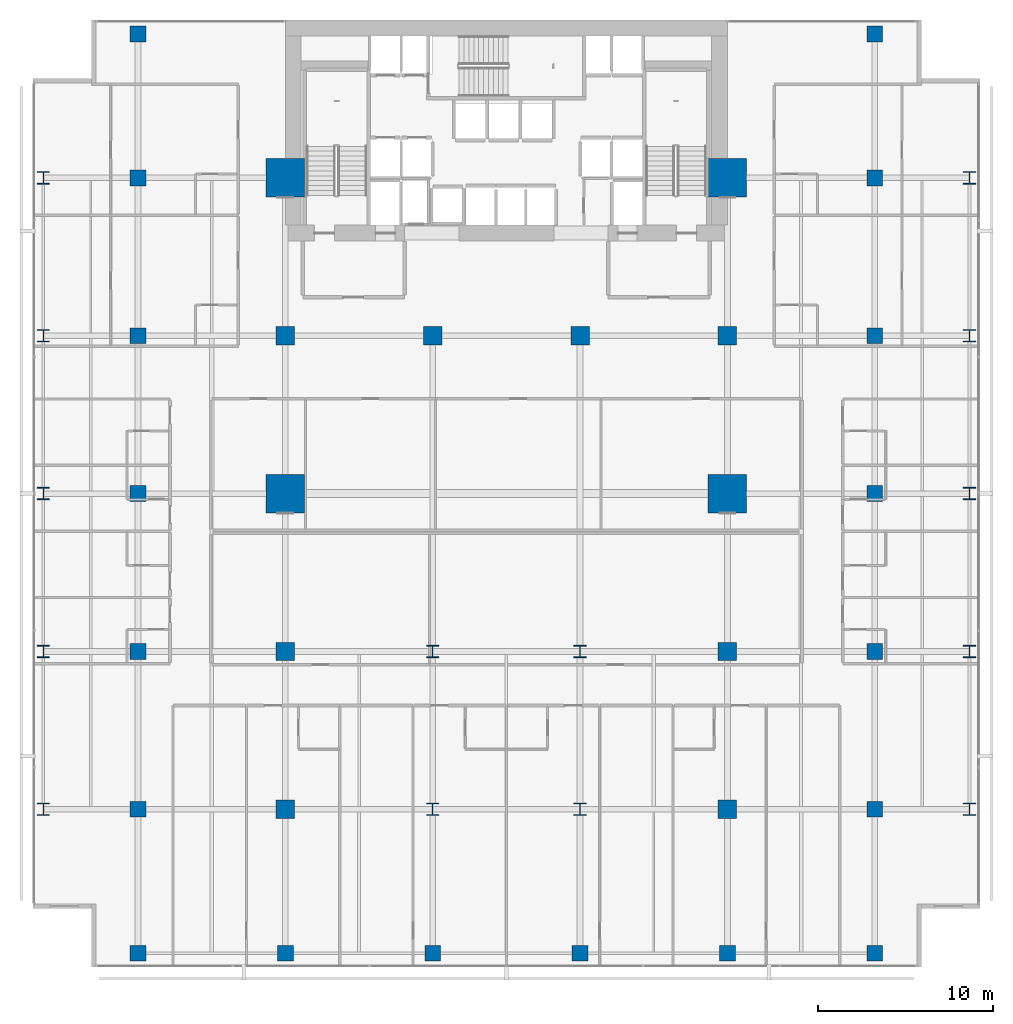
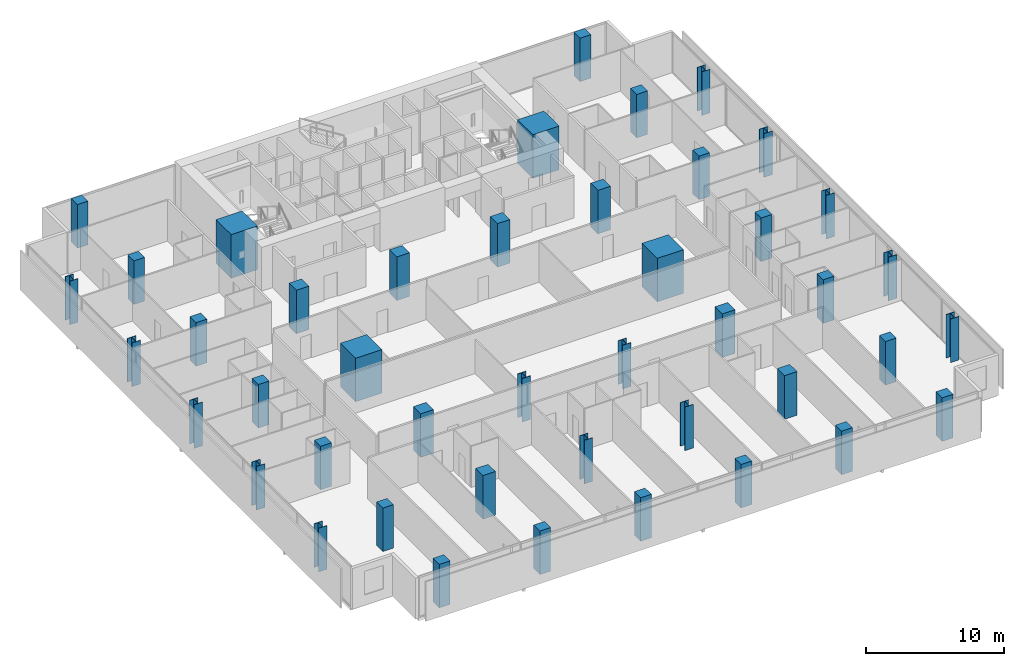
# One storey, part 1 of 40: 44 columns.
"""IFC4 building model written with IfcOpenShell, lengths in metres."""

from ifc_helpers import new_model, si_unit, direction, frame, origin, origin_2d, place, context, subcontext, project, spatial, rectangle, i_section, extrude, material, material_profile, profile_set, type_object, element, save


model = new_model("IFC4")

# Units and contexts
model_context = context("Model", 3, precision=1e-05, world=origin(), true_north=direction((0.0, 1.0)))
body_context = subcontext(model_context, "Body", "Model", "MODEL_VIEW")
ifc_project = project(units=[si_unit("LENGTHUNIT", "METRE"), si_unit("AREAUNIT", "SQUARE_METRE"), si_unit("VOLUMEUNIT", "CUBIC_METRE"), si_unit("PLANEANGLEUNIT", "RADIAN"), si_unit("MASSUNIT", "GRAM", prefix="KILO")], contexts=[model_context])

# Site, building, storey
site_placement = place(None, origin())
site = spatial("IfcSite", under=ifc_project, at=site_placement, CompositionType="ELEMENT")
building_placement = place(site_placement, origin())
building = spatial("IfcBuilding", under=site, at=building_placement, Name="Maruvema Waterfront Hotel and Observation Tower", CompositionType="ELEMENT")
storey_placement = place(building_placement, frame((0.0, 0.0, 103.949951171875)))
storey = spatial("IfcBuildingStorey", under=building, at=storey_placement, Name="L25", CompositionType="ELEMENT", Elevation=103.949951171875)

# Columns
ifc_material_1 = material(Name="Concrete C80/95", Category="concrete")
ifc_material_profile_1 = material_profile(ifc_material_1, rectangle(XDim=2.199951171875, YDim=2.199951171875, at=origin_2d()), Name="MC2200x2200")
ifc_profile_set_1 = profile_set([ifc_material_profile_1], Name="Concrete C80/95")
column_type_1 = type_object("IfcColumnType", Name="Continuous Mega-Column MC2200x2200", PredefinedType="COLUMN", material=ifc_profile_set_1)
for number, where, z_axis, x_axis, name in (
    (1, (25.199951171875, 27.0, 0.0), (0.0, 0.0, 1.0), (1.0, 0.0, 0.0), "L25 Continuous Mega-Column MC-01"),
    (2, (50.39990234375, 27.0, 0.0), (0.0, 0.0, 1.0), (1.0, 0.0, 0.0), "L25 Continuous Mega-Column MC-02"),
    (3, (25.199951171875, 45.0, 0.0), (0.0, 0.0, 1.0), (1.0, 0.0, 0.0), "L25 Continuous Mega-Column MC-03"),
    (4, (50.39990234375, 45.0, 0.0), (0.0, 0.0, 1.0), (1.0, 0.0, 0.0), "L25 Continuous Mega-Column MC-04"),
):
    element("IfcColumn", number, at=place(storey_placement, frame(where, z_axis=z_axis, x_axis=x_axis)), inside=storey, type_object=column_type_1, Name=name, PredefinedType="COLUMN", context=body_context, shape_type="SweptSolid", body=[
        extrude(rectangle(XDim=2.199951171875, YDim=2.199951171875, at=origin_2d()), origin(), (0.0, 0.0, 1.0), 3.85009765625),
    ])
ifc_material_2 = material(Name="Concrete C60/75", Category="concrete")
ifc_material_profile_2 = material_profile(ifc_material_2, rectangle(XDim=1.050048828125, YDim=1.050048828125, at=origin_2d()), Name="RC1050x1050")
ifc_profile_set_2 = profile_set([ifc_material_profile_2], Name="Concrete C60/75")
column_type_2 = type_object("IfcColumnType", Name="Reinforced Concrete Column RC1050x1050", PredefinedType="COLUMN", material=ifc_profile_set_2)
for number, where, z_axis, x_axis, name in (
    (5, (25.199951171875, 36.0, 0.0), (0.0, 0.0, 1.0), (1.0, 0.0, 0.0), "L25 Column C-4E"),
    (6, (33.60009765625, 36.0, 0.0), (0.0, 0.0, 1.0), (1.0, 0.0, 0.0), "L25 Column C-5E"),
    (7, (42.0, 36.0, 0.0), (0.0, 0.0, 1.0), (1.0, 0.0, 0.0), "L25 Column C-6E"),
    (8, (50.39990234375, 36.0, 0.0), (0.0, 0.0, 1.0), (1.0, 0.0, 0.0), "L25 Column C-7E"),
    (9, (25.199951171875, 18.0, 0.0), (0.0, 0.0, 1.0), (1.0, 0.0, 0.0), "L25 Column C-4C"),
    (10, (50.39990234375, 18.0, 0.0), (0.0, 0.0, 1.0), (1.0, 0.0, 0.0), "L25 Column C-7C"),
    (11, (25.199951171875, 9.0, 0.0), (0.0, 0.0, 1.0), (1.0, 0.0, 0.0), "L25 Column C-4B"),
    (12, (50.39990234375, 9.0, 0.0), (0.0, 0.0, 1.0), (1.0, 0.0, 0.0), "L25 Column C-7B"),
):
    element("IfcColumn", number, at=place(storey_placement, frame(where, z_axis=z_axis, x_axis=x_axis)), inside=storey, type_object=column_type_2, Name=name, PredefinedType="COLUMN", context=body_context, shape_type="SweptSolid", body=[
        extrude(rectangle(XDim=1.050048828125, YDim=1.050048828125, at=origin_2d()), origin(), (0.0, 0.0, 1.0), 3.85009765625),
    ])
ifc_material_3 = material(Name="Concrete C60/75", Category="concrete")
ifc_material_profile_3 = material_profile(ifc_material_3, rectangle(XDim=0.89990234375, YDim=0.89990234375, at=origin_2d()), Name="RC900x900")
ifc_profile_set_3 = profile_set([ifc_material_profile_3], Name="Concrete C60/75")
column_type_3 = type_object("IfcColumnType", Name="Reinforced Concrete Column RC900x900", PredefinedType="COLUMN", material=ifc_profile_set_3)
for number, where, z_axis, x_axis, name in (
    (13, (16.800048828125, 9.0, 0.0), (0.0, 0.0, 1.0), (1.0, 0.0, 0.0), "L25 Column C-3Y9"),
    (14, (58.800048828125, 9.0, 0.0), (0.0, 0.0, 1.0), (1.0, 0.0, 0.0), "L25 Column C-8Y9"),
    (15, (16.800048828125, 18.0, 0.0), (0.0, 0.0, 1.0), (1.0, 0.0, 0.0), "L25 Column C-3Y18"),
    (16, (58.800048828125, 18.0, 0.0), (0.0, 0.0, 1.0), (1.0, 0.0, 0.0), "L25 Column C-8Y18"),
    (17, (16.800048828125, 27.0, 0.0), (0.0, 0.0, 1.0), (1.0, 0.0, 0.0), "L25 Column C-3Y27"),
    (18, (58.800048828125, 27.0, 0.0), (0.0, 0.0, 1.0), (1.0, 0.0, 0.0), "L25 Column C-8Y27"),
    (19, (16.800048828125, 36.0, 0.0), (0.0, 0.0, 1.0), (1.0, 0.0, 0.0), "L25 Column C-3Y36"),
    (20, (58.800048828125, 36.0, 0.0), (0.0, 0.0, 1.0), (1.0, 0.0, 0.0), "L25 Column C-8Y36"),
    (21, (16.800048828125, 45.0, 0.0), (0.0, 0.0, 1.0), (1.0, 0.0, 0.0), "L25 Column C-3Y45"),
    (22, (58.800048828125, 45.0, 0.0), (0.0, 0.0, 1.0), (1.0, 0.0, 0.0), "L25 Column C-8Y45"),
    (23, (16.800048828125, 0.800048828125, 0.0), (0.0, 0.0, 1.0), (1.0, 0.0, 0.0), "L25 Column C-3A"),
    (24, (25.199951171875, 0.800048828125, 0.0), (0.0, 0.0, 1.0), (1.0, 0.0, 0.0), "L25 Column C-4A"),
    (25, (33.60009765625, 0.800048828125, 0.0), (0.0, 0.0, 1.0), (1.0, 0.0, 0.0), "L25 Column C-5A"),
    (26, (42.0, 0.800048828125, 0.0), (0.0, 0.0, 1.0), (1.0, 0.0, 0.0), "L25 Column C-6A"),
    (27, (50.39990234375, 0.800048828125, 0.0), (0.0, 0.0, 1.0), (1.0, 0.0, 0.0), "L25 Column C-7A"),
    (28, (58.800048828125, 0.800048828125, 0.0), (0.0, 0.0, 1.0), (1.0, 0.0, 0.0), "L25 Column C-8A"),
    (29, (16.800048828125, 53.199951171875, 0.0), (0.0, 0.0, 1.0), (1.0, 0.0, 0.0), "L25 Column C-3G"),
    (30, (58.800048828125, 53.199951171875, 0.0), (0.0, 0.0, 1.0), (1.0, 0.0, 0.0), "L25 Column C-8G"),
):
    element("IfcColumn", number, at=place(storey_placement, frame(where, z_axis=z_axis, x_axis=x_axis)), inside=storey, type_object=column_type_3, Name=name, PredefinedType="COLUMN", context=body_context, shape_type="SweptSolid", body=[
        extrude(rectangle(XDim=0.89990234375, YDim=0.89990234375, at=origin_2d()), origin(), (0.0, 0.0, 1.0), 3.85009765625),
    ])
ifc_material_4 = material(Name="Steel ABNT NBR 7007 AR 415 (ASTM A572 Grade 50)", Category="steel")
ifc_material_profile_4 = material_profile(ifc_material_4, i_section(OverallWidth=0.699951171875, OverallDepth=0.699951171875, WebThickness=0.028076171875, FlangeThickness=0.0439453125, at=origin_2d()), Name="CVS700x436")
ifc_profile_set_4 = profile_set([ifc_material_profile_4], Name="Steel ABNT NBR 7007 AR 415 (ASTM A572 Grade 50)")
column_type_4 = type_object("IfcColumnType", Name="Structural Steel Column CVS700x436", PredefinedType="COLUMN", material=ifc_profile_set_4)
for number, where, z_axis, x_axis, name in (
    (31, (33.60009765625, 9.0, 0.0), (0.0, 0.0, 1.0), (1.0, 0.0, 0.0), "L25 Column C-5B"),
    (32, (42.0, 9.0, 0.0), (0.0, 0.0, 1.0), (1.0, 0.0, 0.0), "L25 Column C-6B"),
    (33, (33.60009765625, 18.0, 0.0), (0.0, 0.0, 1.0), (1.0, 0.0, 0.0), "L25 Column C-5C"),
    (34, (42.0, 18.0, 0.0), (0.0, 0.0, 1.0), (1.0, 0.0, 0.0), "L25 Column C-6C"),
    (35, (11.39990234375, 9.0, 0.0), (0.0, 0.0, 1.0), (1.0, 0.0, 0.0), "L25 Column C-Z1W9"),
    (36, (64.199951171875, 9.0, 0.0), (0.0, 0.0, 1.0), (1.0, 0.0, 0.0), "L25 Column C-Z1E9"),
    (37, (11.39990234375, 18.0, 0.0), (0.0, 0.0, 1.0), (1.0, 0.0, 0.0), "L25 Column C-Z1W18"),
    (38, (64.199951171875, 18.0, 0.0), (0.0, 0.0, 1.0), (1.0, 0.0, 0.0), "L25 Column C-Z1E18"),
    (39, (11.39990234375, 27.0, 0.0), (0.0, 0.0, 1.0), (1.0, 0.0, 0.0), "L25 Column C-Z1W27"),
    (40, (64.199951171875, 27.0, 0.0), (0.0, 0.0, 1.0), (1.0, 0.0, 0.0), "L25 Column C-Z1E27"),
    (41, (11.39990234375, 36.0, 0.0), (0.0, 0.0, 1.0), (1.0, 0.0, 0.0), "L25 Column C-Z1W36"),
    (42, (64.199951171875, 36.0, 0.0), (0.0, 0.0, 1.0), (1.0, 0.0, 0.0), "L25 Column C-Z1E36"),
    (43, (11.39990234375, 45.0, 0.0), (0.0, 0.0, 1.0), (1.0, 0.0, 0.0), "L25 Column C-Z1W45"),
    (44, (64.199951171875, 45.0, 0.0), (0.0, 0.0, 1.0), (1.0, 0.0, 0.0), "L25 Column C-Z1E45"),
):
    element("IfcColumn", number, at=place(storey_placement, frame(where, z_axis=z_axis, x_axis=x_axis)), inside=storey, type_object=column_type_4, Name=name, PredefinedType="COLUMN", context=body_context, shape_type="SweptSolid", body=[
        extrude(i_section(OverallWidth=0.699951171875, OverallDepth=0.699951171875, WebThickness=0.028076171875, FlangeThickness=0.0439453125, at=origin_2d()), origin(), (0.0, 0.0, 1.0), 3.85009765625),
    ])

save(model, "model.ifc")
